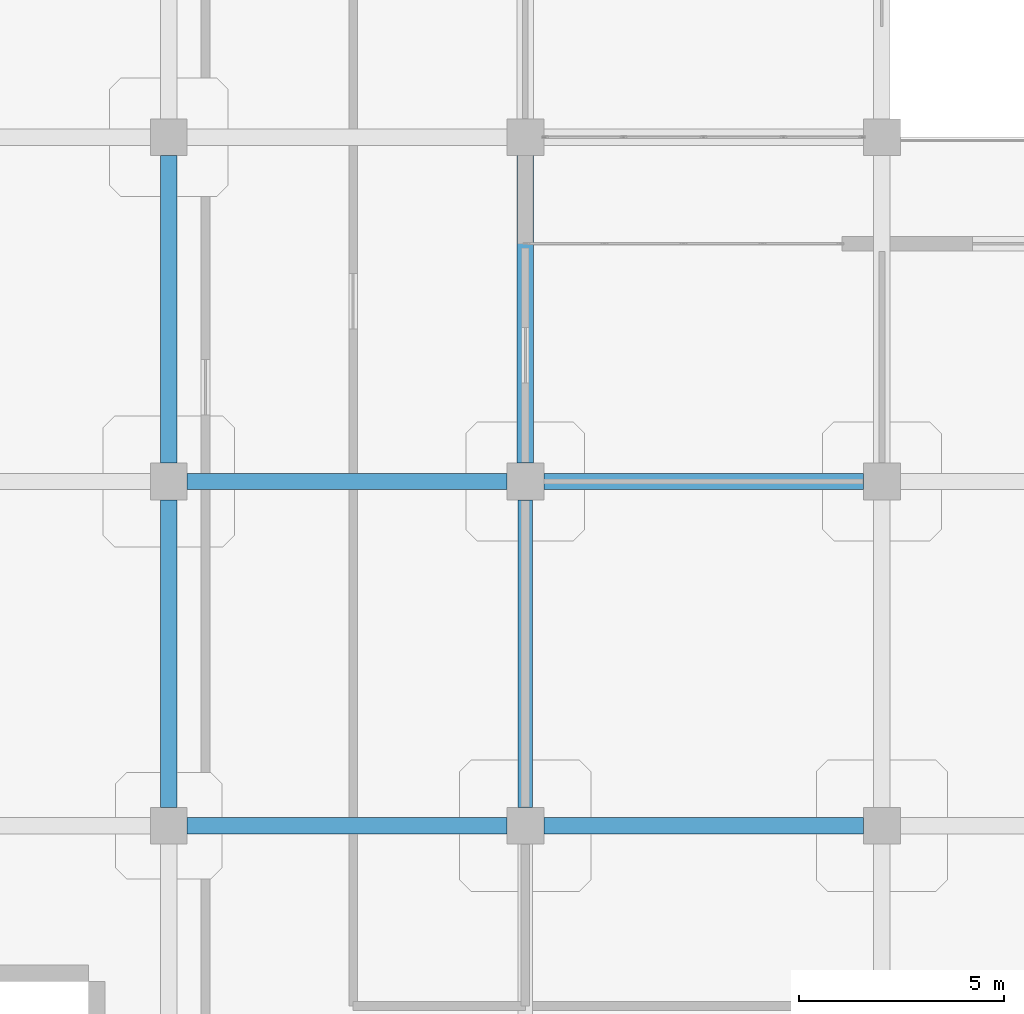
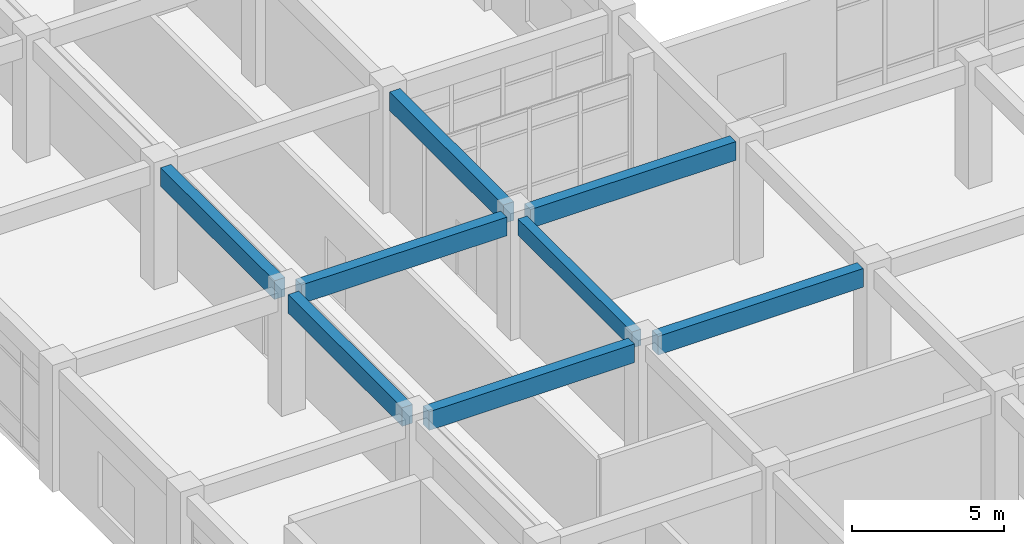
# One storey, part 35 of 120: 8 beams.
"""IFC4 building model written with IfcOpenShell, lengths in metres."""

import ifcopenshell
import ifcopenshell.guid

model = None  # the IFC model being written
_history = None  # IfcOwnerHistory: only IFC2X3 demands one
_inside = {}  # id of a spatial element -> (the spatial element, [elements in it])
_under = {}  # id of a project, library or spatial element -> (it, [spatial elements below it])
_declared = {}  # id of a project -> (the project, [libraries it declares])
_typed = {}  # id of a type object -> (the type object, [elements of that type])
_made_of = {}  # id of a material, layer set ... -> (it, [elements and type objects made of it])


def new_model(schema):
    """Start an empty IFC model of exactly this schema.

    Asked for "IFC4X3", IfcOpenShell would pick the latest addendum, in which some entities
    have other attributes; the version numbers below select the first issue.
    IFC2X3 requires an IfcOwnerHistory on every rooted entity: one is made here for all.
    """
    global model, _history
    if schema == "IFC4X3":
        model = ifcopenshell.file(schema_version=(4, 3, 0, 0))
    else:
        model = ifcopenshell.file(schema=schema)
    _inside.clear()
    _under.clear()
    _declared.clear()
    _typed.clear()
    _made_of.clear()
    _history = None
    if model.schema == "IFC2X3":
        org = make("IfcOrganization", Name="unknown")
        user = make(
            "IfcPersonAndOrganization",
            ThePerson=make("IfcPerson", FamilyName="unknown"),
            TheOrganization=org,
        )
        app = make(
            "IfcApplication",
            ApplicationDeveloper=org,
            Version="unknown",
            ApplicationFullName="unknown",
            ApplicationIdentifier="unknown",
        )
        _history = make(
            "IfcOwnerHistory",
            OwningUser=user,
            OwningApplication=app,
            ChangeAction="ADDED",
            CreationDate=0,
        )
    return model


def make(cls, **values):
    """One entity of the class cls with the attributes given. An attribute that is None is left unset."""
    return model.create_entity(
        cls, **{name: value for name, value in values.items() if value is not None}
    )


def rooted(cls, **values):
    """An entity with a GlobalId (a new one), such as an element, a storey or a relation."""
    return make(cls, GlobalId=ifcopenshell.guid.new(), OwnerHistory=_history, **values)


def si_unit(unit_type, name, prefix=None):
    """IfcSIUnit, for example si_unit("LENGTHUNIT", "METRE", prefix="MILLI")."""
    return make("IfcSIUnit", UnitType=unit_type, Prefix=prefix, Name=name)


def derived_unit(unit_type, elements):
    """IfcDerivedUnit: a product of units, each with its exponent."""
    return make(
        "IfcDerivedUnit",
        Elements=[
            make("IfcDerivedUnitElement", Unit=unit, Exponent=power)
            for unit, power in elements
        ],
        UnitType=unit_type,
    )


def assignment(units):
    """IfcUnitAssignment: the units of a project."""
    return None if units is None else make("IfcUnitAssignment", Units=units)


def point(xyz):
    """IfcCartesianPoint."""
    return None if xyz is None else make("IfcCartesianPoint", Coordinates=xyz)


def direction(xyz):
    """IfcDirection."""
    return None if xyz is None else make("IfcDirection", DirectionRatios=xyz)


def frame(location, z_axis=None, x_axis=None):
    """IfcAxis2Placement3D, a coordinate frame: its origin and axes. An axis left out is left unset."""
    return make(
        "IfcAxis2Placement3D",
        Location=point(location),
        Axis=direction(z_axis),
        RefDirection=direction(x_axis),
    )


def frame_2d(location, x_axis=None):
    """IfcAxis2Placement2D, a coordinate frame in the plane: its origin and x axis."""
    return make(
        "IfcAxis2Placement2D", Location=point(location), RefDirection=direction(x_axis)
    )


def origin():
    """The frame at (0, 0, 0) with its axes left unset."""
    return frame((0.0, 0.0, 0.0))


def origin_2d():
    """The frame at (0, 0) in the plane with its x axis left unset."""
    return frame_2d((0.0, 0.0))


def place(relative_to, where):
    """IfcLocalPlacement: puts the frame where relative to a parent placement (None: the world)."""
    return make(
        "IfcLocalPlacement", PlacementRelTo=relative_to, RelativePlacement=where
    )


def context(
    kind, dimensions, precision=None, world=None, true_north=None, identifier=None
):
    """IfcGeometricRepresentationContext, for example the 3D "Model" context."""
    return make(
        "IfcGeometricRepresentationContext",
        ContextIdentifier=identifier,
        ContextType=kind,
        CoordinateSpaceDimension=dimensions,
        Precision=precision,
        WorldCoordinateSystem=world,
        TrueNorth=true_north,
    )


def subcontext(parent, identifier, kind, view, scale=None):
    """IfcGeometricRepresentationSubContext, for example "Body" below "Model"."""
    return make(
        "IfcGeometricRepresentationSubContext",
        ContextIdentifier=identifier,
        ContextType=kind,
        ParentContext=parent,
        TargetScale=scale,
        TargetView=view,
    )


def project(units=None, contexts=None):
    """IfcProject with its units and contexts."""
    return rooted(
        "IfcProject",
        Name="project",
        RepresentationContexts=contexts,
        UnitsInContext=assignment(units),
    )


def spatial(cls, under=None, at=None, **own):
    """A site, building, storey or space (cls), placed at a placement, below another one or the project."""
    s = rooted(cls, ObjectPlacement=at, **own)
    if under is not None:
        _under.setdefault(under.id(), (under, []))[1].append(s)
    return s


def profile(cls, at=None, kind="AREA", **sizes):
    """A parametric profile (cls). Its sizes go by their IFC names, for example OverallWidth=200.0."""
    return make(cls, ProfileType=kind, Position=at, **sizes)


def rectangle(**sizes):
    """IfcRectangleProfileDef."""
    return profile("IfcRectangleProfileDef", **sizes)


def extrude(swept, where, along, depth):
    """IfcExtrudedAreaSolid: the profile swept, set in the frame where, extruded along a direction by depth."""
    return make(
        "IfcExtrudedAreaSolid",
        SweptArea=swept,
        Position=where,
        ExtrudedDirection=direction(along),
        Depth=depth,
    )


def shape(context_of_items, identifier, shape_type, items):
    """IfcShapeRepresentation: the items that make up one representation, for example the "Body"."""
    return make(
        "IfcShapeRepresentation",
        ContextOfItems=context_of_items,
        RepresentationIdentifier=identifier,
        RepresentationType=shape_type,
        Items=items,
    )


def material(Name=None, Category=None):
    """IfcMaterial."""
    return make("IfcMaterial", Name=Name, Category=Category)


def material_profile(
    of_material, cross_section, Name=None, Category=None, Priority=None
):
    """IfcMaterialProfile: a cross section and its material."""
    return make(
        "IfcMaterialProfile",
        Name=Name,
        Material=of_material,
        Profile=cross_section,
        Priority=Priority,
        Category=Category,
    )


def profile_set(profiles, Name=None, composite=None):
    """IfcMaterialProfileSet."""
    return make(
        "IfcMaterialProfileSet",
        Name=Name,
        MaterialProfiles=profiles,
        CompositeProfile=composite,
    )


def made_of(thing, what):
    """Note that an element or type object is made of a material, layer set ...; save() writes the relation."""
    if what is not None:
        _made_of.setdefault(what.id(), (what, []))[1].append(thing)
    return thing


def type_object(cls, material=None, **own):
    """A type object (cls), such as IfcWallType, which elements share."""
    return made_of(rooted(cls, **own), material)


def element(
    cls,
    number,
    at=None,
    inside=None,
    cuts=None,
    type_object=None,
    material=None,
    context=None,
    identifier="Body",
    shape_type=None,
    held_by="IfcProductDefinitionShape",
    body=None,
    shapes=None,
    **own,
):
    """One element of the class cls, such as IfcWall. Its Tag is "e" and its number.

    at: its placement. inside: the storey or other place that contains it. cuts: it is an
    opening in that element (IfcRelVoidsElement). A single representation is given by context,
    identifier, shape_type and body (its items); several are given by shapes. held_by: the class
    of the entity that holds the representations. save() writes the other relations.
    """
    e = rooted(cls, Tag="e%d" % number, ObjectPlacement=at, **own)
    if body is not None:
        shapes = [shape(context, identifier, shape_type, body)]
    if shapes is not None:
        e.Representation = make(held_by, Representations=shapes)
    if inside is not None:
        _inside.setdefault(inside.id(), (inside, []))[1].append(e)
    if cuts is not None:
        rooted(
            "IfcRelVoidsElement", RelatingBuildingElement=cuts, RelatedOpeningElement=e
        )
    if type_object is not None:
        _typed.setdefault(type_object.id(), (type_object, []))[1].append(e)
    return made_of(e, material)


def aggregate(whole, parts):
    """IfcRelAggregates: a whole, such as a stair, and the parts it consists of."""
    return rooted("IfcRelAggregates", RelatingObject=whole, RelatedObjects=parts)


def save(model, path):
    """Write the relations noted so far, then the file.

    IfcRelAggregates (storeys below a building ...), IfcRelContainedInSpatialStructure (elements
    in a storey), IfcRelDefinesByType, IfcRelAssociatesMaterial and IfcRelDeclares: one each for
    every whole, place, type object, material and project.
    """
    for whole, parts in _under.values():
        aggregate(whole, parts)
    for where, things in _inside.values():
        rooted(
            "IfcRelContainedInSpatialStructure",
            RelatedElements=things,
            RelatingStructure=where,
        )
    for kind, things in _typed.values():
        rooted("IfcRelDefinesByType", RelatedObjects=things, RelatingType=kind)
    for what, things in _made_of.values():
        rooted("IfcRelAssociatesMaterial", RelatedObjects=things, RelatingMaterial=what)
    for by, libraries in _declared.values():
        rooted("IfcRelDeclares", RelatingContext=by, RelatedDefinitions=libraries)
    model.write(path)


model = new_model("IFC4")

# Units and contexts
model_context = context("Model", 3, precision=1e-05, world=origin(), true_north=direction((0.0, 1.0)))
body_context = subcontext(model_context, "Body", "Model", "MODEL_VIEW")
ifc_project = project(units=[si_unit("LENGTHUNIT", "METRE"), si_unit("AREAUNIT", "SQUARE_METRE"), si_unit("VOLUMEUNIT", "CUBIC_METRE"), si_unit("PLANEANGLEUNIT", "RADIAN"), si_unit("MASSUNIT", "GRAM", prefix="KILO"), derived_unit("THERMALTRANSMITTANCEUNIT", [(si_unit("MASSUNIT", "GRAM", prefix="KILO"), 1), (si_unit("TIMEUNIT", "SECOND"), -3), (si_unit("THERMODYNAMICTEMPERATUREUNIT", "KELVIN"), -1)])], contexts=[model_context])

# Site, building, storey
site_placement = place(None, origin())
site = spatial("IfcSite", under=ifc_project, at=site_placement, CompositionType="ELEMENT")
building_placement = place(site_placement, origin())
building = spatial("IfcBuilding", under=site, at=building_placement, Name="Qinzheling Arcade Emporium", CompositionType="ELEMENT")
storey_placement = place(building_placement, frame((0.0, 0.0, 11.39990234375)))
storey = spatial("IfcBuildingStorey", under=building, at=storey_placement, Name="L03", CompositionType="ELEMENT", Elevation=11.39990234375)

# Beams
ifc_material = material(Name="Concrete C40", Category="concrete")
ifc_material_profile_1 = material_profile(ifc_material, rectangle(XDim=0.39990234375, YDim=0.75, at=origin_2d()), Name="RC 400x750", Category="concrete")
ifc_profile_set_1 = profile_set([ifc_material_profile_1], Name="Concrete C40")
beam_type_1 = type_object("IfcBeamType", Name="RC Interior Tie Beam 400x750 C40", PredefinedType="BEAM", material=ifc_profile_set_1)
for number, where, z_axis, x_axis, name in (
    (1, (113.550048828125, 16.800048828125, 4.445068359375), (1.0, 0.0, 0.0), (0.0, 1.0, 0.0), "Beam BM-L03-X-C-14"),
    (2, (122.25, 16.800048828125, 4.43017578125), (1.0, 0.0, 0.0), (0.0, 1.0, 0.0), "Beam BM-L03-X-C-15"),
    (3, (113.550048828125, 25.199951171875, 4.445068359375), (1.0, 0.0, 0.0), (0.0, 1.0, 0.0), "Beam BM-L03-X-D-14"),
    (4, (122.25, 25.199951171875, 4.43017578125), (1.0, 0.0, 0.0), (0.0, 1.0, 0.0), "Beam BM-L03-X-D-15"),
):
    element("IfcBeam", number, at=place(storey_placement, frame(where, z_axis=z_axis, x_axis=x_axis)), inside=storey, type_object=beam_type_1, Name=name, PredefinedType="BEAM", context=body_context, shape_type="SweptSolid", body=[
        extrude(rectangle(XDim=0.39990234375, YDim=0.75, at=origin_2d()), origin(), (0.0, 0.0, 1.0), 7.800048828125),
    ])
for number, where, z_axis, x_axis, name in (
    (5, (113.10009765625, 17.25, 4.445068359375), (0.0, 1.0, 0.0), (-1.0, 0.0, 0.0), "Beam BM-L03-Y-14-C"),
    (6, (113.10009765625, 25.64990234375, 4.445068359375), (0.0, 1.0, 0.0), (-1.0, 0.0, 0.0), "Beam BM-L03-Y-14-D"),
    (7, (121.800048828125, 25.64990234375, 4.445068359375), (0.0, 1.0, 0.0), (-1.0, 0.0, 0.0), "Beam BM-L03-Y-15-D"),
):
    element("IfcBeam", number, at=place(storey_placement, frame(where, z_axis=z_axis, x_axis=x_axis)), inside=storey, type_object=beam_type_1, Name=name, PredefinedType="BEAM", context=body_context, shape_type="SweptSolid", body=[
        extrude(rectangle(XDim=0.39990234375, YDim=0.75, at=origin_2d()), origin(), (0.0, 0.0, 1.0), 7.5),
    ])
ifc_material_profile_2 = material_profile(ifc_material, rectangle(XDim=0.35009765625, YDim=0.64990234375, at=origin_2d()), Name="RC 350x650", Category="concrete")
ifc_profile_set_2 = profile_set([ifc_material_profile_2], Name="Concrete C40")
beam_type_2 = type_object("IfcBeamType", Name="RC Spandrel Edge Beam 350x650 C40", PredefinedType="SPANDREL", material=ifc_profile_set_2)
beam_placement = place(storey_placement, frame((121.800048828125, 17.25, 4.47998046875), z_axis=(0.0, 1.0, 0.0), x_axis=(-1.0, 0.0, 0.0)))
element("IfcBeam", 8, at=beam_placement, inside=storey, type_object=beam_type_2, Name="Beam BM-L03-Y-15-C", PredefinedType="SPANDREL", context=body_context, shape_type="SweptSolid", body=[
    extrude(rectangle(XDim=0.35009765625, YDim=0.64990234375, at=origin_2d()), origin(), (0.0, 0.0, 1.0), 7.5),
])

save(model, "model.ifc")
